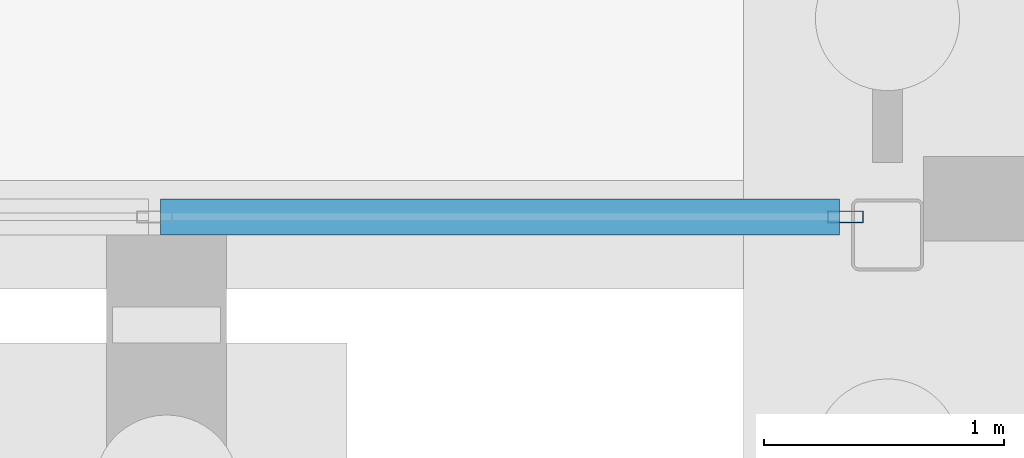
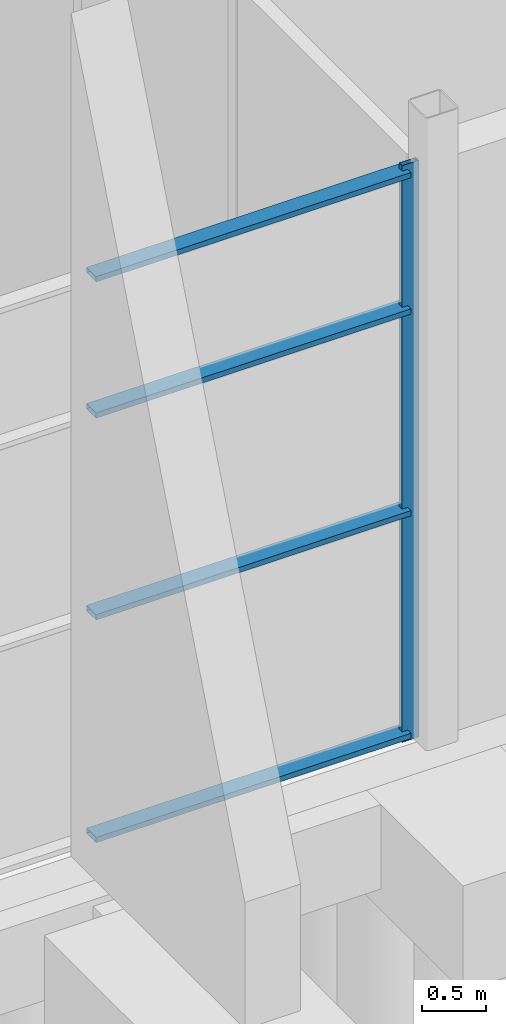
# One storey, part 80 of 139: 5 members, 1 element without a shape of its own.
"""IFC4 building model written with IfcOpenShell, lengths in metres."""

from ifc_helpers import new_model, si_unit, direction, frame, origin, origin_2d, place, context, subcontext, project, spatial, hollow_rectangle, extrude, material, layer, layer_set, material_profile, profile_set, type_object, element, aggregate, save


model = new_model("IFC4")

# Units and contexts
model_context = context("Model", 3, precision=1e-05, world=origin(), true_north=direction((0.0, 1.0)))
body_context = subcontext(model_context, "Body", "Model", "MODEL_VIEW")
ifc_project = project(units=[si_unit("LENGTHUNIT", "METRE"), si_unit("AREAUNIT", "SQUARE_METRE"), si_unit("VOLUMEUNIT", "CUBIC_METRE"), si_unit("PLANEANGLEUNIT", "RADIAN"), si_unit("MASSUNIT", "GRAM", prefix="KILO")], contexts=[model_context])

# Site, building, storey
site_placement = place(None, origin())
site = spatial("IfcSite", under=ifc_project, at=site_placement, CompositionType="ELEMENT")
building_placement = place(site_placement, origin())
building = spatial("IfcBuilding", under=site, at=building_placement, Name="Shorebreak Coast Museum", CompositionType="ELEMENT")
storey_placement = place(building_placement, origin())
storey = spatial("IfcBuildingStorey", under=building, at=storey_placement, Name="L00", CompositionType="ELEMENT", Elevation=0.0)

# Curtain wall, members
ifc_material_1 = material(Name="Aluminium", Category="aluminium")
ifc_layer = layer(ifc_material_1, 0.14990234375)
ifc_layer_set = layer_set([ifc_layer], Name="Aluminium")
curtain_wall_type = type_object("IfcCurtainWallType", Name="Storefront curtain wall", PredefinedType="NOTDEFINED", material=ifc_layer_set)
curtain_wall_placement = place(storey_placement, origin())
curtain_wall = element("IfcCurtainWall", 1, at=curtain_wall_placement, inside=storey, type_object=curtain_wall_type, Name="Storefront L00 S 11", PredefinedType="NOTDEFINED")
ifc_material_2 = material(Name="Aluminium", Category="aluminium")
ifc_material_profile_1 = material_profile(ifc_material_2, hollow_rectangle(XDim=0.050048828125, YDim=0.14990234375, WallThickness=0.00390625, at=origin_2d()), Name="AL 150x50 RHS")
ifc_profile_set_1 = profile_set([ifc_material_profile_1], Name="Aluminium")
member_type_1 = type_object("IfcMemberType", Name="Storefront mullion 50 x 150", PredefinedType="MULLION", material=ifc_profile_set_1)
member_1_placement = place(storey_placement, frame((152.824951171875, 54.074951171875, 0.0), z_axis=(0.0, 0.0, 1.0), x_axis=(0.0, 1.0, 0.0)))
member_1 = element("IfcMember", 2, at=member_1_placement, type_object=member_type_1, Name="CW8 mullion 4", PredefinedType="MULLION", context=body_context, shape_type="SweptSolid", body=[
    extrude(hollow_rectangle(XDim=0.050048828125, YDim=0.14990234375, WallThickness=0.00390625, at=origin_2d()), origin(), (0.0, 0.0, 1.0), 5.469482421875),
])
ifc_material_3 = material(Name="Aluminium", Category="aluminium")
ifc_material_profile_2 = material_profile(ifc_material_3, hollow_rectangle(XDim=0.14990234375, YDim=0.050048828125, WallThickness=0.00390625, at=origin_2d()), Name="AL 50x150 RHS")
ifc_profile_set_2 = profile_set([ifc_material_profile_2], Name="Aluminium")
member_type_2 = type_object("IfcMemberType", Name="Storefront transom 150 x 50", PredefinedType="USERDEFINED", material=ifc_profile_set_2)
member_2_placement = place(storey_placement, frame((149.97509765625, 54.074951171875, 0.074951171875), z_axis=(1.0, 0.0, 0.0), x_axis=(0.0, 1.0, 0.0)))
member_2 = element("IfcMember", 3, at=member_2_placement, type_object=member_type_2, Name="CW8 transom 3.1", ObjectType="TRANSOM", PredefinedType="USERDEFINED", context=body_context, shape_type="SweptSolid", body=[
    extrude(hollow_rectangle(XDim=0.14990234375, YDim=0.050048828125, WallThickness=0.00390625, at=origin_2d()), origin(), (0.0, 0.0, 1.0), 2.824951171875),
])
member_3_placement = place(storey_placement, frame((149.97509765625, 54.074951171875, 2.187744140625), z_axis=(1.0, 0.0, 0.0), x_axis=(0.0, 1.0, 0.0)))
member_3 = element("IfcMember", 4, at=member_3_placement, type_object=member_type_2, Name="CW8 transom 3.2", ObjectType="TRANSOM", PredefinedType="USERDEFINED", context=body_context, shape_type="SweptSolid", body=[
    extrude(hollow_rectangle(XDim=0.14990234375, YDim=0.050048828125, WallThickness=0.00390625, at=origin_2d()), origin(), (0.0, 0.0, 1.0), 2.824951171875),
])
member_4_placement = place(storey_placement, frame((149.97509765625, 54.074951171875, 4.10205078125), z_axis=(1.0, 0.0, 0.0), x_axis=(0.0, 1.0, 0.0)))
member_4 = element("IfcMember", 5, at=member_4_placement, type_object=member_type_2, Name="CW8 transom 3.3", ObjectType="TRANSOM", PredefinedType="USERDEFINED", context=body_context, shape_type="SweptSolid", body=[
    extrude(hollow_rectangle(XDim=0.14990234375, YDim=0.050048828125, WallThickness=0.00390625, at=origin_2d()), origin(), (0.0, 0.0, 1.0), 2.824951171875),
])
member_5_placement = place(storey_placement, frame((149.97509765625, 54.074951171875, 5.394287109375), z_axis=(1.0, 0.0, 0.0), x_axis=(0.0, 1.0, 0.0)))
member_5 = element("IfcMember", 6, at=member_5_placement, type_object=member_type_2, Name="CW8 transom 3.4", ObjectType="TRANSOM", PredefinedType="USERDEFINED", context=body_context, shape_type="SweptSolid", body=[
    extrude(hollow_rectangle(XDim=0.14990234375, YDim=0.050048828125, WallThickness=0.00390625, at=origin_2d()), origin(), (0.0, 0.0, 1.0), 2.824951171875),
])
aggregate(curtain_wall, [member_1, member_2, member_3, member_4, member_5])

save(model, "model.ifc")
